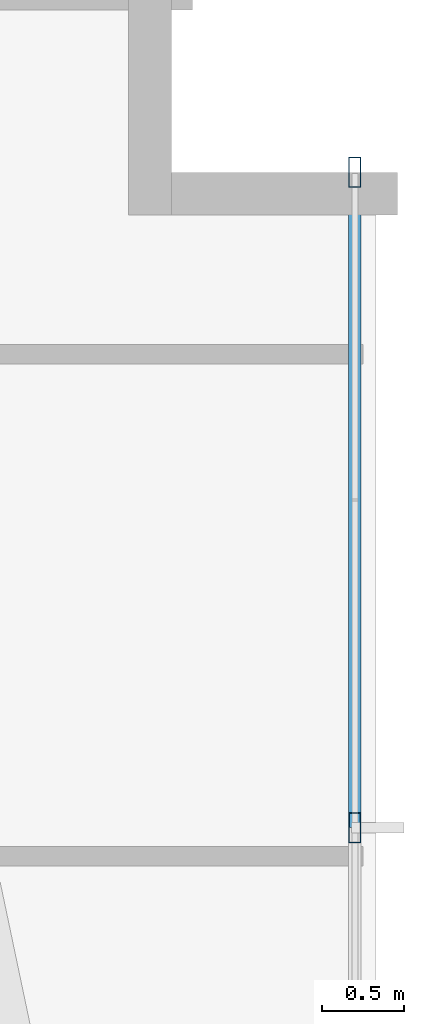
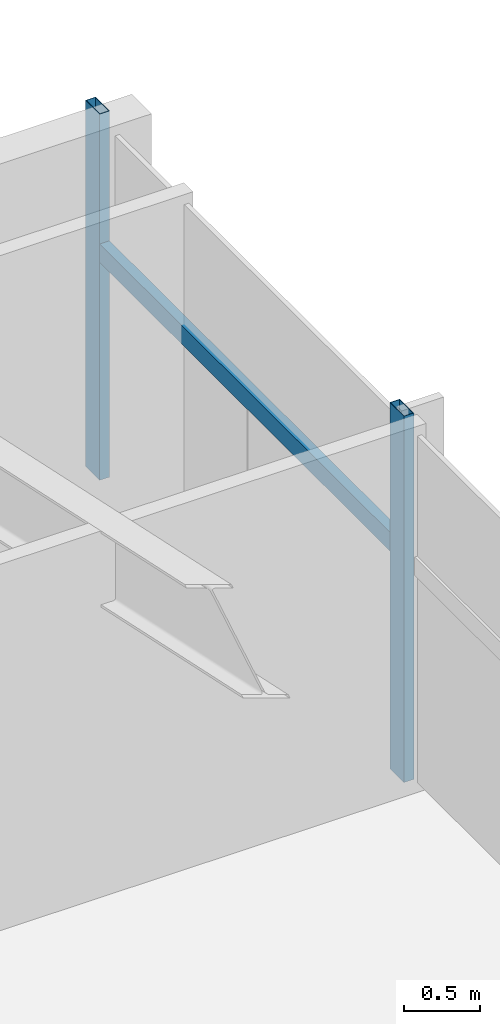
# One storey, part 17 of 25: 3 members, 1 element without a shape of its own.
"""IFC4 building model written with IfcOpenShell, lengths in metres."""

from ifc_helpers import new_model, si_unit, direction, frame, origin, origin_2d, place, context, subcontext, project, spatial, hollow_rectangle, extrude, source, transform, mapped, material, material_profile, profile_set, type_object, type_shapes, element, aggregate, save


model = new_model("IFC4")

# Units and contexts
model_context = context("Model", 3, precision=1e-05, world=origin(), true_north=direction((0.0, 1.0)))
body_context = subcontext(model_context, "Body", "Model", "MODEL_VIEW")
ifc_project = project(units=[si_unit("LENGTHUNIT", "METRE"), si_unit("AREAUNIT", "SQUARE_METRE"), si_unit("VOLUMEUNIT", "CUBIC_METRE"), si_unit("PLANEANGLEUNIT", "RADIAN"), si_unit("MASSUNIT", "GRAM", prefix="KILO")], contexts=[model_context])

# Site, building, storey
site_placement = place(None, origin())
site = spatial("IfcSite", under=ifc_project, at=site_placement, CompositionType="ELEMENT")
building_placement = place(site_placement, origin())
building = spatial("IfcBuilding", under=site, at=building_placement, Name="Astriad Promenade Condominiums", CompositionType="ELEMENT")
storey_placement = place(building_placement, frame((0.0, 0.0, 35.800048828125)))
storey = spatial("IfcBuildingStorey", under=building, at=storey_placement, Name="L09", CompositionType="ELEMENT", Elevation=35.800048828125)

# Curtain wall, members
ifc_material_1 = material(Name="Anodised aluminium Black Dark Glass Unitised", Category="aluminium")
curtain_wall_type = type_object("IfcCurtainWallType", Name="CW-B1-DARK", PredefinedType="USERDEFINED", material=ifc_material_1)
curtain_wall_placement = place(storey_placement, origin())
curtain_wall = element("IfcCurtainWall", 1, at=curtain_wall_placement, inside=storey, type_object=curtain_wall_type, Name="CW-L09-E", ObjectType="UNITISED_CURTAIN_WALL", PredefinedType="USERDEFINED")
ifc_material_2 = material(Name="Anodised aluminium 6063-T6 Black", Category="aluminium")
ifc_material_profile_1 = material_profile(ifc_material_2, hollow_rectangle(XDim=0.074951171875, YDim=0.18505859375, WallThickness=0.00439453125, at=origin_2d()), Name="ALU-MUL-75X185")
ifc_profile_set_1 = profile_set([ifc_material_profile_1], Name="Anodised aluminium 6063-T6 Black")
member_type_1 = type_object("IfcMemberType", Name="MUL-ALU-MUL-75X185", PredefinedType="MULLION", material=ifc_profile_set_1)
shared_shape_1 = source(origin(), body_context, "Body", "SweptSolid", [
    extrude(hollow_rectangle(XDim=0.074951171875, YDim=0.18505859375, WallThickness=0.00439453125, at=origin_2d()), origin(), (0.0, 0.0, 1.0), 2.93994140625),
])
type_shapes(member_type_1, [shared_shape_1])
member_1_placement = place(storey_placement, frame((59.669921875, 25.199951171875, 0.0), z_axis=(0.0, 0.0, 1.0), x_axis=(1.0, 0.0, 0.0)))
member_1 = element("IfcMember", 2, at=member_1_placement, type_object=member_type_1, Name="CW-L09-E-MUL-00", PredefinedType="MULLION", context=body_context, shape_type="MappedRepresentation", body=[
    mapped(shared_shape_1, transform((0.0, 0.0, 0.0), scale=1.0)),
])
member_2_placement = place(storey_placement, frame((59.669921875, 21.199951171875, 0.0), z_axis=(0.0, 0.0, 1.0), x_axis=(1.0, 0.0, 0.0)))
member_2 = element("IfcMember", 3, at=member_2_placement, type_object=member_type_1, Name="CW-L09-E-MUL-01", PredefinedType="MULLION", context=body_context, shape_type="MappedRepresentation", body=[
    mapped(shared_shape_1, transform((0.0, 0.0, 0.0), scale=1.0)),
])
ifc_material_profile_2 = material_profile(ifc_material_2, hollow_rectangle(XDim=0.074951171875, YDim=0.14990234375, WallThickness=0.004150390625, at=origin_2d()), Name="ALU-TRN-75X150")
ifc_profile_set_2 = profile_set([ifc_material_profile_2], Name="Anodised aluminium 6063-T6 Black")
member_type_2 = type_object("IfcMemberType", Name="TRN-ALU-TRN-75X150", PredefinedType="USERDEFINED", material=ifc_profile_set_2)
shared_shape_2 = source(origin(), body_context, "Body", "SweptSolid", [
    extrude(hollow_rectangle(XDim=0.074951171875, YDim=0.14990234375, WallThickness=0.004150390625, at=origin_2d()), origin(), (0.0, 0.0, 1.0), 4.0),
])
type_shapes(member_type_2, [shared_shape_2])
member_3_placement = place(storey_placement, frame((59.669921875, 25.199951171875, 1.82275390625), z_axis=(0.0, -1.0, 0.0), x_axis=(1.0, 0.0, 0.0)))
member_3 = element("IfcMember", 4, at=member_3_placement, type_object=member_type_2, Name="CW-L09-E-TRN-00-0", ObjectType="TRANSOM", PredefinedType="USERDEFINED", context=body_context, shape_type="MappedRepresentation", body=[
    mapped(shared_shape_2, transform((0.0, 0.0, 0.0), scale=1.0)),
])
aggregate(curtain_wall, [member_1, member_2, member_3])

save(model, "model.ifc")
